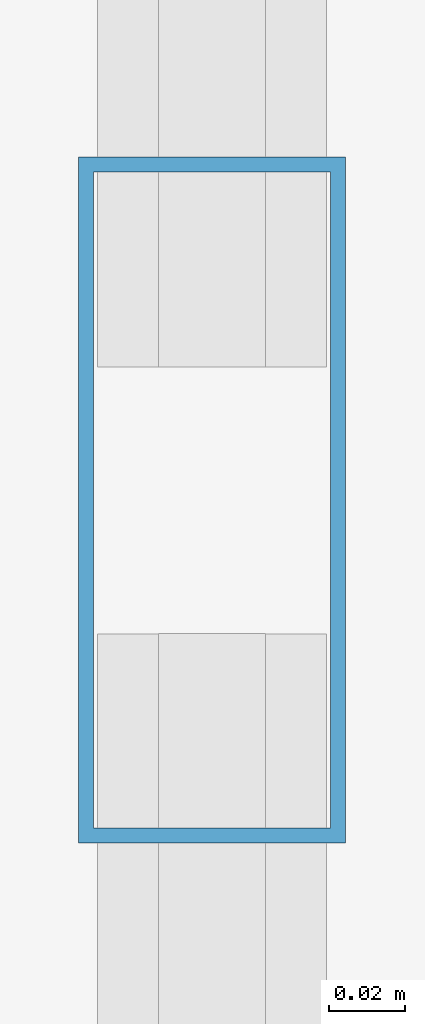
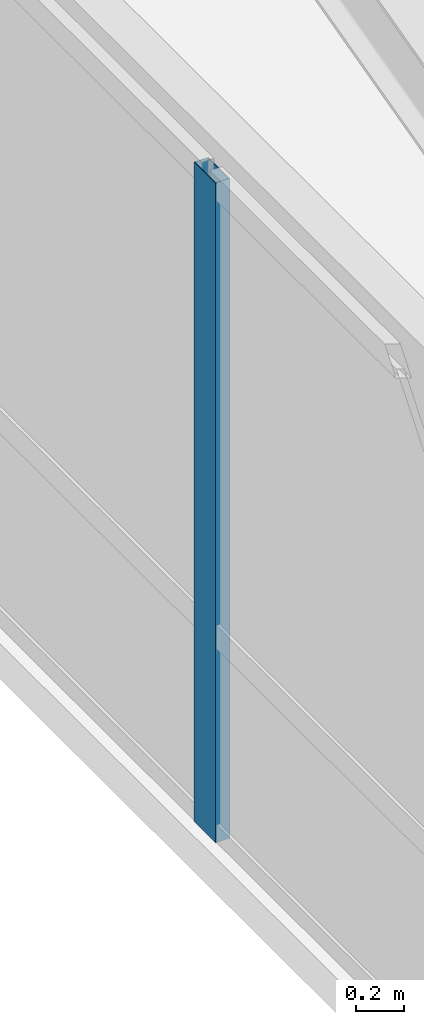
# One storey, part 11 of 21: 1 member, 1 element without a shape of its own.
"""IFC4 building model written with IfcOpenShell, lengths in metres."""

from ifc_helpers import new_model, si_unit, direction, frame, origin, origin_2d, place, context, subcontext, project, spatial, hollow_rectangle, extrude, source, transform, mapped, material, layer, layer_set, material_profile, profile_set, type_object, type_shapes, element, aggregate, save


model = new_model("IFC4")

# Units and contexts
model_context = context("Model", 3, precision=1e-05, world=origin(), true_north=direction((0.0, 1.0)))
body_context = subcontext(model_context, "Body", "Model", "MODEL_VIEW")
ifc_project = project(units=[si_unit("LENGTHUNIT", "METRE"), si_unit("AREAUNIT", "SQUARE_METRE"), si_unit("VOLUMEUNIT", "CUBIC_METRE"), si_unit("PLANEANGLEUNIT", "RADIAN"), si_unit("MASSUNIT", "GRAM", prefix="KILO")], contexts=[model_context])

# Site, building, storey
site_placement = place(None, origin())
site = spatial("IfcSite", under=ifc_project, at=site_placement, CompositionType="ELEMENT")
building_placement = place(site_placement, origin())
building = spatial("IfcBuilding", under=site, at=building_placement, Name="Tolvann Quenvar Hotel", CompositionType="ELEMENT")
storey_placement = place(building_placement, frame((0.0, 0.0, 227.449951171875)))
storey = spatial("IfcBuildingStorey", under=building, at=storey_placement, Name="L60", CompositionType="ELEMENT", Elevation=227.449951171875)

# Curtain wall, member
ifc_material_1 = material(Name="Thermally broken anodised architectural aluminium 6063-T6 and laminated low-E glass", Category="aluminium")
ifc_layer = layer(ifc_material_1, 0.179931640625)
ifc_layer_set = layer_set([ifc_layer], Name="Thermally broken anodised architectural aluminium 6063-T6 and laminated low-E glass")
curtain_wall_type = type_object("IfcCurtainWallType", Name="CW_SYS_BAND_04", PredefinedType="USERDEFINED", material=ifc_layer_set)
curtain_wall_placement = place(storey_placement, origin())
curtain_wall = element("IfcCurtainWall", 1, at=curtain_wall_placement, inside=storey, type_object=curtain_wall_type, Name="Curtain Wall CW-BAND-04 (CWR-L60-E19)", ObjectType="UNITISED CURTAIN WALL", PredefinedType="USERDEFINED")
ifc_material_2 = material(Name="Anodised architectural aluminium 6063-T6 framing", Category="aluminium")
ifc_material_profile = material_profile(ifc_material_2, hollow_rectangle(XDim=0.070068359375, YDim=0.179931640625, WallThickness=0.00390625, at=origin_2d()), Name="180x70x4RHS")
ifc_profile_set = profile_set([ifc_material_profile], Name="Anodised architectural aluminium 6063-T6 framing")
member_type = type_object("IfcMemberType", Name="CW_MULL_180x70", PredefinedType="MULLION", material=ifc_profile_set)
shared_shape = source(origin(), body_context, "Body", "SweptSolid", [
    extrude(hollow_rectangle(XDim=0.070068359375, YDim=0.179931640625, WallThickness=0.00390625, at=origin_2d()), origin(), (0.0, 0.0, 1.0), 3.3701171875),
])
type_shapes(member_type, [shared_shape])
member_placement = place(storey_placement, frame((2.68994140625, 37.26220703125, 0.0), z_axis=(0.0, 0.0, 1.0), x_axis=(1.0, 0.0, 0.0)))
member = element("IfcMember", 2, at=member_placement, type_object=member_type, Name="CW-BAND-04 mullion 2", PredefinedType="MULLION", context=body_context, shape_type="MappedRepresentation", body=[
    mapped(shared_shape, transform((0.0, 0.0, 0.0), x_axis=(1.0, 0.0, 0.0), y_axis=(0.0, 1.0, 0.0), z_axis=(0.0, 0.0, 1.0), scale=1.0)),
])
aggregate(curtain_wall, [member])

save(model, "model.ifc")
